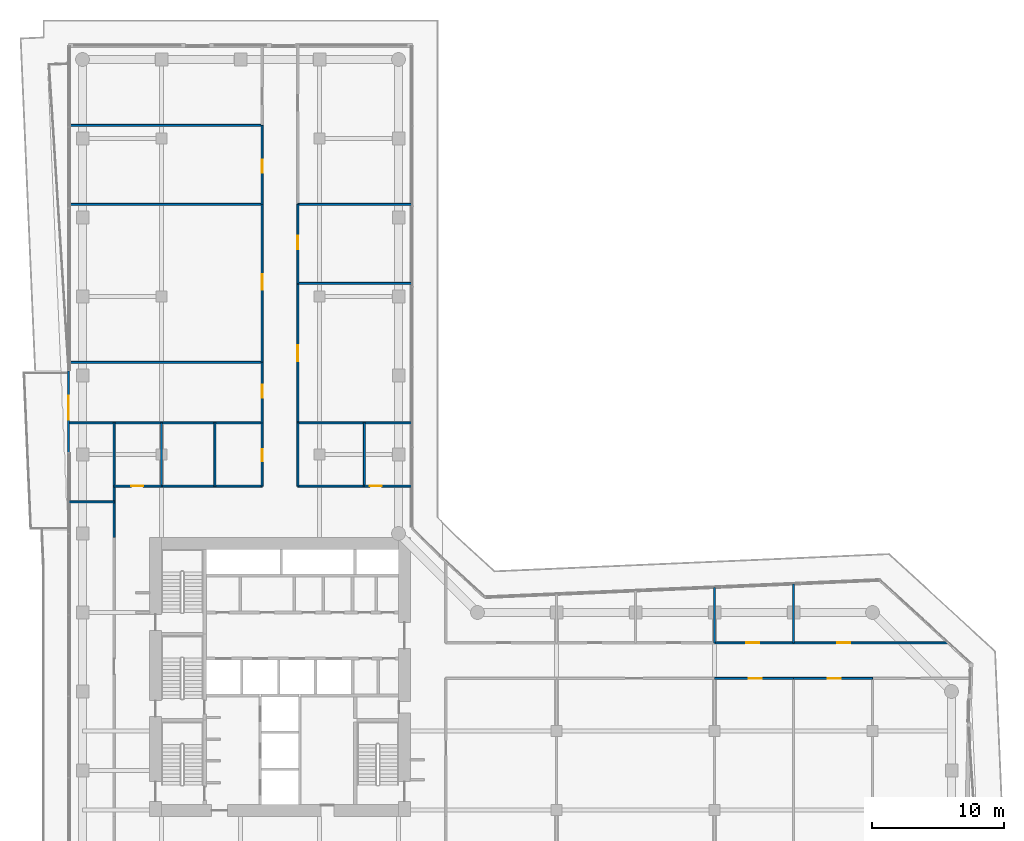
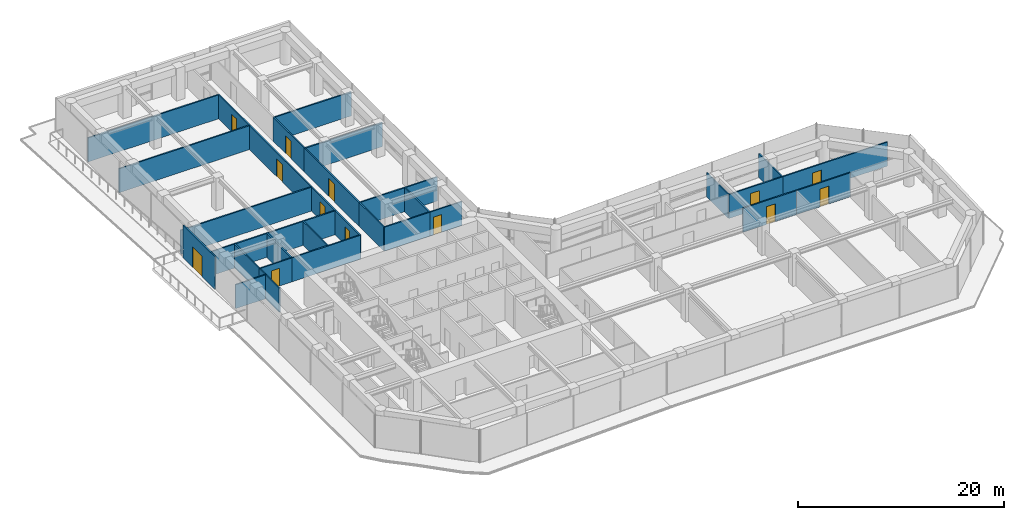
# One storey, part 25 of 29: 31 walls, 13 doors, 13 openings.
"""IFC4 building model written with IfcOpenShell, lengths in metres."""

from ifc_helpers import new_model, si_unit, direction, frame, frame_2d, origin, place, context, subcontext, project, spatial, rectangle, extrude, material, layer, layer_set, type_object, element, fill, save


model = new_model("IFC4")

# Units and contexts
model_context = context("Model", 3, precision=1e-05, world=origin(), true_north=direction((0.0, 1.0)))
body_context = subcontext(model_context, "Body", "Model", "MODEL_VIEW")
ifc_project = project(units=[si_unit("LENGTHUNIT", "METRE"), si_unit("AREAUNIT", "SQUARE_METRE"), si_unit("VOLUMEUNIT", "CUBIC_METRE"), si_unit("PLANEANGLEUNIT", "RADIAN"), si_unit("MASSUNIT", "GRAM", prefix="KILO")], contexts=[model_context])

# Site, building, storey
site_placement = place(None, origin())
site = spatial("IfcSite", under=ifc_project, at=site_placement, CompositionType="ELEMENT")
building_placement = place(site_placement, origin())
building = spatial("IfcBuilding", under=site, at=building_placement, Name="Welwitschia Terrace Campus", CompositionType="ELEMENT")
storey_placement = place(building_placement, frame((0.0, 0.0, 62.60009765625)))
storey = spatial("IfcBuildingStorey", under=building, at=storey_placement, Name="L14", CompositionType="ELEMENT", Elevation=62.60009765625)

# Wall, opening, door
ifc_material_1 = material(Name="Concrete C40/50", Category="concrete")
ifc_layer_1 = layer(ifc_material_1, 0.139892578125)
ifc_layer_set_1 = layer_set([ifc_layer_1], Name="Concrete C40/50")
wall_type_1 = type_object("IfcWallType", Name="Clad wall 140", PredefinedType="SOLIDWALL", material=ifc_layer_set_1)
wall_1_placement = place(storey_placement, frame((-1.05810546875, 38.34716796875, 0.0), z_axis=(0.0, 0.0, 1.0), x_axis=(0.0, -1.0, 0.0)))
wall_1 = element("IfcWall", 1, at=wall_1_placement, inside=storey, type_object=wall_type_1, Name="Clad wall L14.terrace door 0", PredefinedType="SOLIDWALL", context=body_context, shape_type="SweptSolid", body=[
    extrude(rectangle(XDim=6.177734375, YDim=0.139892578125, at=frame_2d((3.0888671875, 0.0))), origin(), (0.0, 0.0, 1.0), 3.849853515625),
])
opening_1_placement = place(wall_1_placement, frame((1.888916015625, 0.0, 0.0)))
opening_1 = element("IfcOpeningElement", 2, at=opening_1_placement, cuts=wall_1, Name="Opening DE3", PredefinedType="OPENING", context=body_context, shape_type="SweptSolid", body=[
    extrude(rectangle(XDim=1.800048828125, YDim=2.39990234375, at=frame_2d((0.89990234375, 1.199951171875))), frame((0.0, 0.079833984375, 0.0), z_axis=(0.0, -1.0, 0.0), x_axis=(1.0, 0.0, 0.0)), (0.0, 0.0, 1.0), 0.159912109375),
])
ifc_material_2 = material(Name="Bronze anodised aluminium and glass", Category="aluminium")
door_type_1 = type_object("IfcDoorType", Name="Terrace door 1800x2400", OperationType="DOUBLE_DOOR_DOUBLE_SWING", PredefinedType="DOOR", material=ifc_material_2)
door_1_placement = place(opening_1_placement, origin())
door_1 = element("IfcDoor", 3, at=door_1_placement, inside=storey, type_object=door_type_1, Name="Door L14:T0", OperationType="DOUBLE_DOOR_DOUBLE_SWING", OverallHeight=2.39990234375, OverallWidth=1.800048828125, PredefinedType="DOOR", context=body_context, shape_type="SweptSolid", body=[
    extrude(rectangle(XDim=1.800048828125, YDim=2.39990234375, at=frame_2d((0.89990234375, 1.199951171875))), frame((0.0, 0.02490234375, 0.0), z_axis=(0.0, -1.0, 0.0), x_axis=(1.0, 0.0, 0.0)), (0.0, 0.0, 1.0), 0.050048828125),
])
fill(opening_1, door_1)

# Walls
ifc_material_3 = material(Name="Gypsum board on steel studs", Category="steel")
ifc_layer_2 = layer(ifc_material_3, 0.14990234375)
ifc_layer_set_2 = layer_set([ifc_layer_2], Name="Gypsum board on steel studs")
wall_type_2 = type_object("IfcWallType", Name="Corridor partition 150 EI 30", PredefinedType="PARTITIONING", material=ifc_layer_set_2)
wall_2_placement = place(storey_placement, frame((-1.010009765625, 28.39990234375, 0.0), z_axis=(0.0, 0.0, 1.0), x_axis=(1.0, 0.0, 0.0)))
element("IfcWall", 4, at=wall_2_placement, inside=storey, type_object=wall_type_2, Name="Partition", PredefinedType="PARTITIONING", context=body_context, shape_type="SweptSolid", body=[
    extrude(rectangle(XDim=3.409912109375, YDim=0.14990234375, at=frame_2d((1.705078125, 0.0))), origin(), (0.0, 0.0, 1.0), 2.829833984375),
])
for number, where, z_axis, x_axis, name in (
    (5, (-1.010009765625, 34.39990234375, 0.0), (0.0, 0.0, 1.0), (1.0, 0.0, 0.0), "Partition"),
    (6, (-1.010009765625, 39.0, 0.0), (0.0, 0.0, 1.0), (1.0, 0.0, 0.0), "Partition"),
    (7, (-1.010009765625, 51.0, 0.0), (0.0, 0.0, 1.0), (1.0, 0.0, 0.0), "Partition"),
):
    element("IfcWall", number, at=place(storey_placement, frame(where, z_axis=z_axis, x_axis=x_axis)), inside=storey, type_object=wall_type_2, Name=name, PredefinedType="PARTITIONING", context=body_context, shape_type="SweptSolid", body=[
        extrude(rectangle(XDim=14.659912109375, YDim=0.14990234375, at=frame_2d((7.330078125, 0.0))), origin(), (0.0, 0.0, 1.0), 2.829833984375),
    ])
wall_3_placement = place(storey_placement, frame((-0.992919921875, 57.0, 0.0), z_axis=(0.0, 0.0, 1.0), x_axis=(1.0, 0.0, 0.0)))
element("IfcWall", 8, at=wall_3_placement, inside=storey, type_object=wall_type_2, Name="Partition", PredefinedType="PARTITIONING", context=body_context, shape_type="SweptSolid", body=[
    extrude(rectangle(XDim=14.642822265625, YDim=0.14990234375, at=frame_2d((7.3212890625, 0.0))), origin(), (0.0, 0.0, 1.0), 2.829833984375),
])
wall_4_placement = place(storey_placement, frame((2.39990234375, 25.699951171875, 0.0), z_axis=(0.0, 0.0, 1.0), x_axis=(0.0, 1.0, 0.0)))
element("IfcWall", 9, at=wall_4_placement, inside=storey, type_object=wall_type_2, Name="Partition", PredefinedType="PARTITIONING", context=body_context, shape_type="SweptSolid", body=[
    extrude(rectangle(XDim=3.900146484375, YDim=0.14990234375, at=frame_2d((1.9501953125, 0.0))), origin(), (0.0, 0.0, 1.0), 2.829833984375),
])
wall_5_placement = place(storey_placement, frame((2.39990234375, 29.60009765625, 0.0), z_axis=(0.0, 0.0, 1.0), x_axis=(0.0, 1.0, 0.0)))
element("IfcWall", 10, at=wall_5_placement, inside=storey, type_object=wall_type_2, Name="Partition", PredefinedType="PARTITIONING", context=body_context, shape_type="SweptSolid", body=[
    extrude(rectangle(XDim=4.7998046875, YDim=0.14990234375, at=frame_2d((2.39990234375, 0.0))), origin(), (0.0, 0.0, 1.0), 2.829833984375),
])

# Wall, opening, door
wall_6_placement = place(storey_placement, frame((2.39990234375, 29.60009765625, 0.0), z_axis=(0.0, 0.0, 1.0), x_axis=(1.0, 0.0, 0.0)))
wall_6 = element("IfcWall", 11, at=wall_6_placement, inside=storey, type_object=wall_type_2, Name="Partition", PredefinedType="PARTITIONING", context=body_context, shape_type="SweptSolid", body=[
    extrude(rectangle(XDim=3.60009765625, YDim=0.14990234375, at=frame_2d((1.800048828125, 0.0))), origin(), (0.0, 0.0, 1.0), 2.829833984375),
])
opening_2_placement = place(wall_6_placement, frame((1.300048828125, 0.0, 0.0)))
opening_2 = element("IfcOpeningElement", 12, at=opening_2_placement, cuts=wall_6, Name="Opening DI09", PredefinedType="OPENING", context=body_context, shape_type="SweptSolid", body=[
    extrude(rectangle(XDim=0.89990234375, YDim=2.10009765625, at=frame_2d((0.449951171875, 1.050048828125))), frame((0.0, 0.0849609375, 0.0), z_axis=(0.0, -1.0, 0.0), x_axis=(1.0, 0.0, 0.0)), (0.0, 0.0, 1.0), 0.169921875),
])
ifc_material_4 = material(Name="Timber veneered door", Category="wood")
door_type_2 = type_object("IfcDoorType", Name="Interior door DI09", OperationType="NOTDEFINED", PredefinedType="DOOR", material=ifc_material_4)
door_2_placement = place(opening_2_placement, origin())
door_2 = element("IfcDoor", 13, at=door_2_placement, inside=storey, type_object=door_type_2, Name="Door L14 314", OperationType="SINGLE_SWING_LEFT", OverallHeight=2.10009765625, OverallWidth=0.89990234375, PredefinedType="DOOR", context=body_context, shape_type="SweptSolid", body=[
    extrude(rectangle(XDim=0.89990234375, YDim=2.10009765625, at=frame_2d((0.449951171875, 1.050048828125))), frame((0.0, 0.02490234375, 0.0), z_axis=(0.0, -1.0, 0.0), x_axis=(1.0, 0.0, 0.0)), (0.0, 0.0, 1.0), 0.050048828125),
])
fill(opening_2, door_2)

# Walls
wall_7_placement = place(storey_placement, frame((6.0, 29.60009765625, 0.0), z_axis=(0.0, 0.0, 1.0), x_axis=(0.0, 1.0, 0.0)))
element("IfcWall", 14, at=wall_7_placement, inside=storey, type_object=wall_type_2, Name="Partition", PredefinedType="PARTITIONING", context=body_context, shape_type="SweptSolid", body=[
    extrude(rectangle(XDim=4.7998046875, YDim=0.14990234375, at=frame_2d((2.39990234375, 0.0))), origin(), (0.0, 0.0, 1.0), 2.829833984375),
])
wall_8_placement = place(storey_placement, frame((6.0, 29.60009765625, 0.0), z_axis=(0.0, 0.0, 1.0), x_axis=(1.0, 0.0, 0.0)))
element("IfcWall", 15, at=wall_8_placement, inside=storey, type_object=wall_type_2, Name="Partition", PredefinedType="PARTITIONING", context=body_context, shape_type="SweptSolid", body=[
    extrude(rectangle(XDim=7.64990234375, YDim=0.14990234375, at=frame_2d((3.824951171875, 0.0))), origin(), (0.0, 0.0, 1.0), 2.829833984375),
])
wall_9_placement = place(storey_placement, frame((10.050048828125, 29.60009765625, 0.0), z_axis=(0.0, 0.0, 1.0), x_axis=(0.0, 1.0, 0.0)))
element("IfcWall", 16, at=wall_9_placement, inside=storey, type_object=wall_type_2, Name="Partition", PredefinedType="PARTITIONING", context=body_context, shape_type="SweptSolid", body=[
    extrude(rectangle(XDim=4.7998046875, YDim=0.14990234375, at=frame_2d((2.39990234375, 0.0))), origin(), (0.0, 0.0, 1.0), 2.829833984375),
])

# Wall, opening, door
wall_10_placement = place(storey_placement, frame((13.64990234375, 29.60009765625, 0.0), z_axis=(0.0, 0.0, 1.0), x_axis=(0.0, 1.0, 0.0)))
wall_10 = element("IfcWall", 17, at=wall_10_placement, inside=storey, type_object=wall_type_2, Name="Partition", PredefinedType="PARTITIONING", context=body_context, shape_type="SweptSolid", body=[
    extrude(rectangle(XDim=4.7998046875, YDim=0.14990234375, at=frame_2d((2.39990234375, 0.0))), origin(), (0.0, 0.0, 1.0), 2.829833984375),
])
opening_3_placement = place(wall_10_placement, frame((1.89990234375, 0.0, 0.0)))
opening_3 = element("IfcOpeningElement", 18, at=opening_3_placement, cuts=wall_10, Name="Opening DI09", PredefinedType="OPENING", context=body_context, shape_type="SweptSolid", body=[
    extrude(rectangle(XDim=0.89990234375, YDim=2.10009765625, at=frame_2d((0.449951171875, 1.050048828125))), frame((0.0, 0.0849609375, 0.0), z_axis=(0.0, -1.0, 0.0), x_axis=(1.0, 0.0, 0.0)), (0.0, 0.0, 1.0), 0.169921875),
])
door_3_placement = place(opening_3_placement, origin())
door_3 = element("IfcDoor", 19, at=door_3_placement, inside=storey, type_object=door_type_2, Name="Door L14 315", OperationType="SINGLE_SWING_RIGHT", OverallHeight=2.10009765625, OverallWidth=0.89990234375, PredefinedType="DOOR", context=body_context, shape_type="SweptSolid", body=[
    extrude(rectangle(XDim=0.89990234375, YDim=2.10009765625, at=frame_2d((0.449951171875, 1.050048828125))), frame((0.0, 0.02490234375, 0.0), z_axis=(0.0, -1.0, 0.0), x_axis=(1.0, 0.0, 0.0)), (0.0, 0.0, 1.0), 0.050048828125),
])
fill(opening_3, door_3)

wall_11_placement = place(storey_placement, frame((13.64990234375, 34.39990234375, 0.0), z_axis=(0.0, 0.0, 1.0), x_axis=(0.0, 1.0, 0.0)))
wall_11 = element("IfcWall", 20, at=wall_11_placement, inside=storey, type_object=wall_type_2, Name="Partition", PredefinedType="PARTITIONING", context=body_context, shape_type="SweptSolid", body=[
    extrude(rectangle(XDim=4.60009765625, YDim=0.14990234375, at=frame_2d((2.300048828125, 0.0))), origin(), (0.0, 0.0, 1.0), 2.829833984375),
])
opening_4_placement = place(wall_11_placement, frame((1.89990234375, 0.0, 0.0)))
opening_4 = element("IfcOpeningElement", 21, at=opening_4_placement, cuts=wall_11, Name="Opening DI10", PredefinedType="OPENING", context=body_context, shape_type="SweptSolid", body=[
    extrude(rectangle(XDim=1.0, YDim=2.10009765625, at=frame_2d((0.5, 1.050048828125))), frame((0.0, 0.0849609375, 0.0), z_axis=(0.0, -1.0, 0.0), x_axis=(1.0, 0.0, 0.0)), (0.0, 0.0, 1.0), 0.169921875),
])
ifc_material_5 = material(Name="Timber veneered door", Category="wood")
door_type_3 = type_object("IfcDoorType", Name="Interior door DI10", OperationType="NOTDEFINED", PredefinedType="DOOR", material=ifc_material_5)
door_4_placement = place(opening_4_placement, origin())
door_4 = element("IfcDoor", 22, at=door_4_placement, inside=storey, type_object=door_type_3, Name="Door L14 316", OperationType="SINGLE_SWING_LEFT", OverallHeight=2.10009765625, OverallWidth=1.0, PredefinedType="DOOR", context=body_context, shape_type="SweptSolid", body=[
    extrude(rectangle(XDim=1.0, YDim=2.10009765625, at=frame_2d((0.5, 1.050048828125))), frame((0.0, 0.02490234375, 0.0), z_axis=(0.0, -1.0, 0.0), x_axis=(1.0, 0.0, 0.0)), (0.0, 0.0, 1.0), 0.050048828125),
])
fill(opening_4, door_4)

wall_12_placement = place(storey_placement, frame((13.64990234375, 39.0, 0.0), z_axis=(0.0, 0.0, 1.0), x_axis=(0.0, 1.0, 0.0)))
wall_12 = element("IfcWall", 23, at=wall_12_placement, inside=storey, type_object=wall_type_2, Name="Partition", PredefinedType="PARTITIONING", context=body_context, shape_type="SweptSolid", body=[
    extrude(rectangle(XDim=12.0, YDim=0.14990234375, at=frame_2d((6.0, 0.0))), origin(), (0.0, 0.0, 1.0), 2.829833984375),
])
opening_5_placement = place(wall_12_placement, frame((5.5, 0.0, 0.0)))
opening_5 = element("IfcOpeningElement", 24, at=opening_5_placement, cuts=wall_12, Name="Opening DI12", PredefinedType="OPENING", context=body_context, shape_type="SweptSolid", body=[
    extrude(rectangle(XDim=1.199951171875, YDim=2.10009765625, at=frame_2d((0.60009765625, 1.050048828125))), frame((0.0, 0.0849609375, 0.0), z_axis=(0.0, -1.0, 0.0), x_axis=(1.0, 0.0, 0.0)), (0.0, 0.0, 1.0), 0.169921875),
])
ifc_material_6 = material(Name="Timber veneered door", Category="wood")
door_type_4 = type_object("IfcDoorType", Name="Interior door DI12", OperationType="NOTDEFINED", PredefinedType="DOOR", material=ifc_material_6)
door_5_placement = place(opening_5_placement, origin())
door_5 = element("IfcDoor", 25, at=door_5_placement, inside=storey, type_object=door_type_4, Name="Door L14 317", OperationType="SINGLE_SWING_RIGHT", OverallHeight=2.10009765625, OverallWidth=1.199951171875, PredefinedType="DOOR", context=body_context, shape_type="SweptSolid", body=[
    extrude(rectangle(XDim=1.199951171875, YDim=2.10009765625, at=frame_2d((0.60009765625, 1.050048828125))), frame((0.0, 0.02490234375, 0.0), z_axis=(0.0, -1.0, 0.0), x_axis=(1.0, 0.0, 0.0)), (0.0, 0.0, 1.0), 0.050048828125),
])
fill(opening_5, door_5)

wall_13_placement = place(storey_placement, frame((13.64990234375, 51.0, 0.0), z_axis=(0.0, 0.0, 1.0), x_axis=(0.0, 1.0, 0.0)))
wall_13 = element("IfcWall", 26, at=wall_13_placement, inside=storey, type_object=wall_type_2, Name="Partition", PredefinedType="PARTITIONING", context=body_context, shape_type="SweptSolid", body=[
    extrude(rectangle(XDim=6.0, YDim=0.14990234375, at=frame_2d((3.0, 0.0))), origin(), (0.0, 0.0, 1.0), 2.829833984375),
])
opening_6_placement = place(wall_13_placement, frame((2.39990234375, 0.0, 0.0)))
opening_6 = element("IfcOpeningElement", 27, at=opening_6_placement, cuts=wall_13, Name="Opening DI10", PredefinedType="OPENING", context=body_context, shape_type="SweptSolid", body=[
    extrude(rectangle(XDim=1.0, YDim=2.10009765625, at=frame_2d((0.5, 1.050048828125))), frame((0.0, 0.0849609375, 0.0), z_axis=(0.0, -1.0, 0.0), x_axis=(1.0, 0.0, 0.0)), (0.0, 0.0, 1.0), 0.169921875),
])
door_6_placement = place(opening_6_placement, origin())
door_6 = element("IfcDoor", 28, at=door_6_placement, inside=storey, type_object=door_type_3, Name="Door L14 318", OperationType="SINGLE_SWING_LEFT", OverallHeight=2.10009765625, OverallWidth=1.0, PredefinedType="DOOR", context=body_context, shape_type="SweptSolid", body=[
    extrude(rectangle(XDim=1.0, YDim=2.10009765625, at=frame_2d((0.5, 1.050048828125))), frame((0.0, 0.02490234375, 0.0), z_axis=(0.0, -1.0, 0.0), x_axis=(1.0, 0.0, 0.0)), (0.0, 0.0, 1.0), 0.050048828125),
])
fill(opening_6, door_6)

# Walls
wall_14_placement = place(storey_placement, frame((16.35009765625, 29.60009765625, 0.0), z_axis=(0.0, 0.0, 1.0), x_axis=(0.0, 1.0, 0.0)))
element("IfcWall", 29, at=wall_14_placement, inside=storey, type_object=wall_type_2, Name="Partition", PredefinedType="PARTITIONING", context=body_context, shape_type="SweptSolid", body=[
    extrude(rectangle(XDim=4.7998046875, YDim=0.14990234375, at=frame_2d((2.39990234375, 0.0))), origin(), (0.0, 0.0, 1.0), 2.829833984375),
])
wall_15_placement = place(storey_placement, frame((16.35009765625, 29.60009765625, 0.0), z_axis=(0.0, 0.0, 1.0), x_axis=(1.0, 0.0, 0.0)))
element("IfcWall", 30, at=wall_15_placement, inside=storey, type_object=wall_type_2, Name="Partition", PredefinedType="PARTITIONING", context=body_context, shape_type="SweptSolid", body=[
    extrude(rectangle(XDim=5.059814453125, YDim=0.14990234375, at=frame_2d((2.52978515625, 0.0))), origin(), (0.0, 0.0, 1.0), 2.829833984375),
])
wall_16_placement = place(storey_placement, frame((16.35009765625, 34.39990234375, 0.0), z_axis=(0.0, 0.0, 1.0), x_axis=(1.0, 0.0, 0.0)))
element("IfcWall", 31, at=wall_16_placement, inside=storey, type_object=wall_type_2, Name="Partition", PredefinedType="PARTITIONING", context=body_context, shape_type="SweptSolid", body=[
    extrude(rectangle(XDim=8.659912109375, YDim=0.14990234375, at=frame_2d((4.330078125, 0.0))), origin(), (0.0, 0.0, 1.0), 2.829833984375),
])

# Wall, opening, door
wall_17_placement = place(storey_placement, frame((16.35009765625, 45.0, 0.0), z_axis=(0.0, 0.0, 1.0), x_axis=(0.0, -1.0, 0.0)))
wall_17 = element("IfcWall", 32, at=wall_17_placement, inside=storey, type_object=wall_type_2, Name="Partition", PredefinedType="PARTITIONING", context=body_context, shape_type="SweptSolid", body=[
    extrude(rectangle(XDim=10.60009765625, YDim=0.14990234375, at=frame_2d((5.300048828125, 0.0))), origin(), (0.0, 0.0, 1.0), 2.829833984375),
])
opening_7_placement = place(wall_17_placement, frame((4.699951171875, 0.0, 0.0)))
opening_7 = element("IfcOpeningElement", 33, at=opening_7_placement, cuts=wall_17, Name="Opening DI12", PredefinedType="OPENING", context=body_context, shape_type="SweptSolid", body=[
    extrude(rectangle(XDim=1.199951171875, YDim=2.10009765625, at=frame_2d((0.60009765625, 1.050048828125))), frame((0.0, 0.0849609375, 0.0), z_axis=(0.0, -1.0, 0.0), x_axis=(1.0, 0.0, 0.0)), (0.0, 0.0, 1.0), 0.169921875),
])
door_7_placement = place(opening_7_placement, origin())
door_7 = element("IfcDoor", 34, at=door_7_placement, inside=storey, type_object=door_type_4, Name="Door L14 320", OperationType="SINGLE_SWING_LEFT", OverallHeight=2.10009765625, OverallWidth=1.199951171875, PredefinedType="DOOR", context=body_context, shape_type="SweptSolid", body=[
    extrude(rectangle(XDim=1.199951171875, YDim=2.10009765625, at=frame_2d((0.60009765625, 1.050048828125))), frame((0.0, 0.02490234375, 0.0), z_axis=(0.0, -1.0, 0.0), x_axis=(1.0, 0.0, 0.0)), (0.0, 0.0, 1.0), 0.050048828125),
])
fill(opening_7, door_7)

# Wall
wall_18_placement = place(storey_placement, frame((16.35009765625, 45.0, 0.0), z_axis=(0.0, 0.0, 1.0), x_axis=(1.0, 0.0, 0.0)))
element("IfcWall", 35, at=wall_18_placement, inside=storey, type_object=wall_type_2, Name="Partition", PredefinedType="PARTITIONING", context=body_context, shape_type="SweptSolid", body=[
    extrude(rectangle(XDim=8.659912109375, YDim=0.14990234375, at=frame_2d((4.330078125, 0.0))), origin(), (0.0, 0.0, 1.0), 2.829833984375),
])

# Wall, opening, door
wall_19_placement = place(storey_placement, frame((16.35009765625, 51.0, 0.0), z_axis=(0.0, 0.0, 1.0), x_axis=(0.0, -1.0, 0.0)))
wall_19 = element("IfcWall", 36, at=wall_19_placement, inside=storey, type_object=wall_type_2, Name="Partition", PredefinedType="PARTITIONING", context=body_context, shape_type="SweptSolid", body=[
    extrude(rectangle(XDim=6.0, YDim=0.14990234375, at=frame_2d((3.0, 0.0))), origin(), (0.0, 0.0, 1.0), 2.829833984375),
])
opening_8_placement = place(wall_19_placement, frame((2.39990234375, 0.0, 0.0)))
opening_8 = element("IfcOpeningElement", 37, at=opening_8_placement, cuts=wall_19, Name="Opening DI10", PredefinedType="OPENING", context=body_context, shape_type="SweptSolid", body=[
    extrude(rectangle(XDim=1.0, YDim=2.10009765625, at=frame_2d((0.5, 1.050048828125))), frame((0.0, 0.0849609375, 0.0), z_axis=(0.0, -1.0, 0.0), x_axis=(1.0, 0.0, 0.0)), (0.0, 0.0, 1.0), 0.169921875),
])
door_8_placement = place(opening_8_placement, origin())
door_8 = element("IfcDoor", 38, at=door_8_placement, inside=storey, type_object=door_type_3, Name="Door L14 321", OperationType="SINGLE_SWING_RIGHT", OverallHeight=2.10009765625, OverallWidth=1.0, PredefinedType="DOOR", context=body_context, shape_type="SweptSolid", body=[
    extrude(rectangle(XDim=1.0, YDim=2.10009765625, at=frame_2d((0.5, 1.050048828125))), frame((0.0, 0.02490234375, 0.0), z_axis=(0.0, -1.0, 0.0), x_axis=(1.0, 0.0, 0.0)), (0.0, 0.0, 1.0), 0.050048828125),
])
fill(opening_8, door_8)

# Walls
wall_20_placement = place(storey_placement, frame((16.35009765625, 51.0, 0.0), z_axis=(0.0, 0.0, 1.0), x_axis=(1.0, 0.0, 0.0)))
element("IfcWall", 39, at=wall_20_placement, inside=storey, type_object=wall_type_2, Name="Partition", PredefinedType="PARTITIONING", context=body_context, shape_type="SweptSolid", body=[
    extrude(rectangle(XDim=8.659912109375, YDim=0.14990234375, at=frame_2d((4.330078125, 0.0))), origin(), (0.0, 0.0, 1.0), 2.829833984375),
])
wall_21_placement = place(storey_placement, frame((21.409912109375, 29.60009765625, 0.0), z_axis=(0.0, 0.0, 1.0), x_axis=(0.0, 1.0, 0.0)))
element("IfcWall", 40, at=wall_21_placement, inside=storey, type_object=wall_type_2, Name="Partition", PredefinedType="PARTITIONING", context=body_context, shape_type="SweptSolid", body=[
    extrude(rectangle(XDim=4.7998046875, YDim=0.14990234375, at=frame_2d((2.39990234375, 0.0))), origin(), (0.0, 0.0, 1.0), 2.829833984375),
])

# Wall, opening, door
wall_22_placement = place(storey_placement, frame((21.409912109375, 29.60009765625, 0.0), z_axis=(0.0, 0.0, 1.0), x_axis=(1.0, 0.0, 0.0)))
wall_22 = element("IfcWall", 41, at=wall_22_placement, inside=storey, type_object=wall_type_2, Name="Partition", PredefinedType="PARTITIONING", context=body_context, shape_type="SweptSolid", body=[
    extrude(rectangle(XDim=3.60009765625, YDim=0.14990234375, at=frame_2d((1.800048828125, 0.0))), origin(), (0.0, 0.0, 1.0), 2.829833984375),
])
opening_9_placement = place(wall_22_placement, frame((0.39990234375, 0.0, 0.0)))
opening_9 = element("IfcOpeningElement", 42, at=opening_9_placement, cuts=wall_22, Name="Opening DI09", PredefinedType="OPENING", context=body_context, shape_type="SweptSolid", body=[
    extrude(rectangle(XDim=0.89990234375, YDim=2.10009765625, at=frame_2d((0.449951171875, 1.050048828125))), frame((0.0, 0.0849609375, 0.0), z_axis=(0.0, -1.0, 0.0), x_axis=(1.0, 0.0, 0.0)), (0.0, 0.0, 1.0), 0.169921875),
])
door_9_placement = place(opening_9_placement, origin())
door_9 = element("IfcDoor", 43, at=door_9_placement, inside=storey, type_object=door_type_2, Name="Door L14 323", OperationType="SINGLE_SWING_RIGHT", OverallHeight=2.10009765625, OverallWidth=0.89990234375, PredefinedType="DOOR", context=body_context, shape_type="SweptSolid", body=[
    extrude(rectangle(XDim=0.89990234375, YDim=2.10009765625, at=frame_2d((0.449951171875, 1.050048828125))), frame((0.0, 0.02490234375, 0.0), z_axis=(0.0, -1.0, 0.0), x_axis=(1.0, 0.0, 0.0)), (0.0, 0.0, 1.0), 0.050048828125),
])
fill(opening_9, door_9)

# Wall
wall_23_placement = place(storey_placement, frame((48.0, 17.699951171875, 0.0), z_axis=(0.0, 0.0, 1.0), x_axis=(0.0, 1.0, 0.0)))
element("IfcWall", 44, at=wall_23_placement, inside=storey, type_object=wall_type_2, Name="Partition", PredefinedType="PARTITIONING", context=body_context, shape_type="SweptSolid", body=[
    extrude(rectangle(XDim=4.2099609375, YDim=0.14990234375, at=frame_2d((2.10498046875, 0.0))), origin(), (0.0, 0.0, 1.0), 2.829833984375),
])

# Wall, opening, door
wall_24_placement = place(storey_placement, frame((48.0, 17.699951171875, 0.0), z_axis=(0.0, 0.0, 1.0), x_axis=(1.0, 0.0, 0.0)))
wall_24 = element("IfcWall", 45, at=wall_24_placement, inside=storey, type_object=wall_type_2, Name="Partition", PredefinedType="PARTITIONING", context=body_context, shape_type="SweptSolid", body=[
    extrude(rectangle(XDim=6.0, YDim=0.14990234375, at=frame_2d((3.0, 0.0))), origin(), (0.0, 0.0, 1.0), 2.829833984375),
])
opening_10_placement = place(wall_24_placement, frame((2.39990234375, 0.0, 0.0)))
opening_10 = element("IfcOpeningElement", 46, at=opening_10_placement, cuts=wall_24, Name="Opening DI10", PredefinedType="OPENING", context=body_context, shape_type="SweptSolid", body=[
    extrude(rectangle(XDim=1.0, YDim=2.10009765625, at=frame_2d((0.5, 1.050048828125))), frame((0.0, 0.0849609375, 0.0), z_axis=(0.0, -1.0, 0.0), x_axis=(1.0, 0.0, 0.0)), (0.0, 0.0, 1.0), 0.169921875),
])
door_10_placement = place(opening_10_placement, origin())
door_10 = element("IfcDoor", 47, at=door_10_placement, inside=storey, type_object=door_type_3, Name="Door L14 330", OperationType="SINGLE_SWING_LEFT", OverallHeight=2.10009765625, OverallWidth=1.0, PredefinedType="DOOR", context=body_context, shape_type="SweptSolid", body=[
    extrude(rectangle(XDim=1.0, YDim=2.10009765625, at=frame_2d((0.5, 1.050048828125))), frame((0.0, 0.02490234375, 0.0), z_axis=(0.0, -1.0, 0.0), x_axis=(1.0, 0.0, 0.0)), (0.0, 0.0, 1.0), 0.050048828125),
])
fill(opening_10, door_10)

wall_25_placement = place(storey_placement, frame((54.0, 15.0, 0.0), z_axis=(0.0, 0.0, 1.0), x_axis=(-1.0, 0.0, 0.0)))
wall_25 = element("IfcWall", 48, at=wall_25_placement, inside=storey, type_object=wall_type_2, Name="Partition", PredefinedType="PARTITIONING", context=body_context, shape_type="SweptSolid", body=[
    extrude(rectangle(XDim=6.0, YDim=0.14990234375, at=frame_2d((3.0, 0.0))), origin(), (0.0, 0.0, 1.0), 2.829833984375),
])
opening_11_placement = place(wall_25_placement, frame((2.39990234375, 0.0, 0.0)))
opening_11 = element("IfcOpeningElement", 49, at=opening_11_placement, cuts=wall_25, Name="Opening DI10", PredefinedType="OPENING", context=body_context, shape_type="SweptSolid", body=[
    extrude(rectangle(XDim=1.0, YDim=2.10009765625, at=frame_2d((0.5, 1.050048828125))), frame((0.0, 0.0849609375, 0.0), z_axis=(0.0, -1.0, 0.0), x_axis=(1.0, 0.0, 0.0)), (0.0, 0.0, 1.0), 0.169921875),
])
door_11_placement = place(opening_11_placement, origin())
door_11 = element("IfcDoor", 50, at=door_11_placement, inside=storey, type_object=door_type_3, Name="Door L14 331", OperationType="SINGLE_SWING_RIGHT", OverallHeight=2.10009765625, OverallWidth=1.0, PredefinedType="DOOR", context=body_context, shape_type="SweptSolid", body=[
    extrude(rectangle(XDim=1.0, YDim=2.10009765625, at=frame_2d((0.5, 1.050048828125))), frame((0.0, 0.02490234375, 0.0), z_axis=(0.0, -1.0, 0.0), x_axis=(1.0, 0.0, 0.0)), (0.0, 0.0, 1.0), 0.050048828125),
])
fill(opening_11, door_11)

# Wall
wall_26_placement = place(storey_placement, frame((54.0, 17.699951171875, 0.0), z_axis=(0.0, 0.0, 1.0), x_axis=(0.0, 1.0, 0.0)))
element("IfcWall", 51, at=wall_26_placement, inside=storey, type_object=wall_type_2, Name="Partition", PredefinedType="PARTITIONING", context=body_context, shape_type="SweptSolid", body=[
    extrude(rectangle(XDim=4.469970703125, YDim=0.14990234375, at=frame_2d((2.23486328125, 0.0))), origin(), (0.0, 0.0, 1.0), 2.829833984375),
])

# Wall, opening, door
wall_27_placement = place(storey_placement, frame((54.0, 17.699951171875, 0.0), z_axis=(0.0, 0.0, 1.0), x_axis=(1.0, 0.0, 0.0)))
wall_27 = element("IfcWall", 52, at=wall_27_placement, inside=storey, type_object=wall_type_2, Name="Partition", PredefinedType="PARTITIONING", context=body_context, shape_type="SweptSolid", body=[
    extrude(rectangle(XDim=11.719970703125, YDim=0.14990234375, at=frame_2d((5.85986328125, 0.0))), origin(), (0.0, 0.0, 1.0), 2.829833984375),
])
opening_12_placement = place(wall_27_placement, frame((3.320068359375, 0.0, 0.0)))
opening_12 = element("IfcOpeningElement", 53, at=opening_12_placement, cuts=wall_27, Name="Opening DI10", PredefinedType="OPENING", context=body_context, shape_type="SweptSolid", body=[
    extrude(rectangle(XDim=1.0, YDim=2.10009765625, at=frame_2d((0.5, 1.050048828125))), frame((0.0, 0.0849609375, 0.0), z_axis=(0.0, -1.0, 0.0), x_axis=(1.0, 0.0, 0.0)), (0.0, 0.0, 1.0), 0.169921875),
])
door_12_placement = place(opening_12_placement, origin())
door_12 = element("IfcDoor", 54, at=door_12_placement, inside=storey, type_object=door_type_3, Name="Door L14 332", OperationType="SINGLE_SWING_LEFT", OverallHeight=2.10009765625, OverallWidth=1.0, PredefinedType="DOOR", context=body_context, shape_type="SweptSolid", body=[
    extrude(rectangle(XDim=1.0, YDim=2.10009765625, at=frame_2d((0.5, 1.050048828125))), frame((0.0, 0.02490234375, 0.0), z_axis=(0.0, -1.0, 0.0), x_axis=(1.0, 0.0, 0.0)), (0.0, 0.0, 1.0), 0.050048828125),
])
fill(opening_12, door_12)

wall_28_placement = place(storey_placement, frame((60.0, 15.0, 0.0), z_axis=(0.0, 0.0, 1.0), x_axis=(-1.0, 0.0, 0.0)))
wall_28 = element("IfcWall", 55, at=wall_28_placement, inside=storey, type_object=wall_type_2, Name="Partition", PredefinedType="PARTITIONING", context=body_context, shape_type="SweptSolid", body=[
    extrude(rectangle(XDim=6.0, YDim=0.14990234375, at=frame_2d((3.0, 0.0))), origin(), (0.0, 0.0, 1.0), 2.829833984375),
])
opening_13_placement = place(wall_28_placement, frame((2.39990234375, 0.0, 0.0)))
opening_13 = element("IfcOpeningElement", 56, at=opening_13_placement, cuts=wall_28, Name="Opening DI10", PredefinedType="OPENING", context=body_context, shape_type="SweptSolid", body=[
    extrude(rectangle(XDim=1.0, YDim=2.10009765625, at=frame_2d((0.5, 1.050048828125))), frame((0.0, 0.0849609375, 0.0), z_axis=(0.0, -1.0, 0.0), x_axis=(1.0, 0.0, 0.0)), (0.0, 0.0, 1.0), 0.169921875),
])
door_13_placement = place(opening_13_placement, origin())
door_13 = element("IfcDoor", 57, at=door_13_placement, inside=storey, type_object=door_type_3, Name="Door L14 333", OperationType="SINGLE_SWING_RIGHT", OverallHeight=2.10009765625, OverallWidth=1.0, PredefinedType="DOOR", context=body_context, shape_type="SweptSolid", body=[
    extrude(rectangle(XDim=1.0, YDim=2.10009765625, at=frame_2d((0.5, 1.050048828125))), frame((0.0, 0.02490234375, 0.0), z_axis=(0.0, -1.0, 0.0), x_axis=(1.0, 0.0, 0.0)), (0.0, 0.0, 1.0), 0.050048828125),
])
fill(opening_13, door_13)

save(model, "model.ifc")
